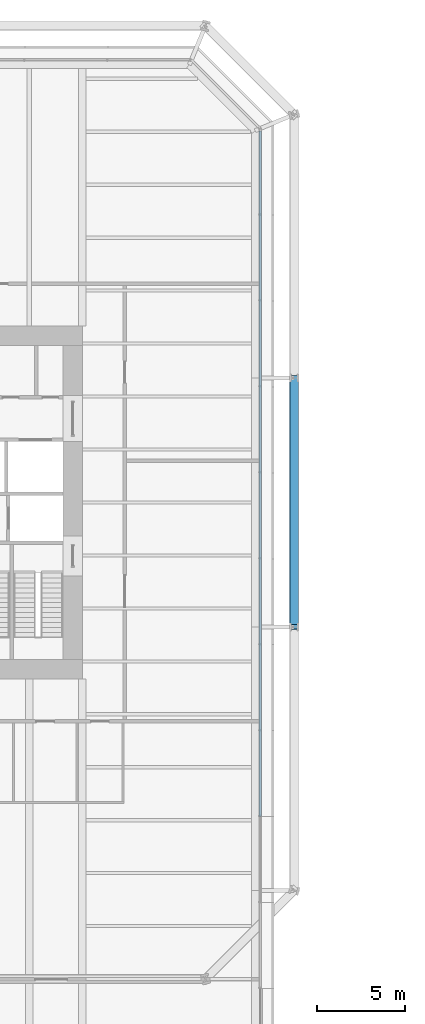
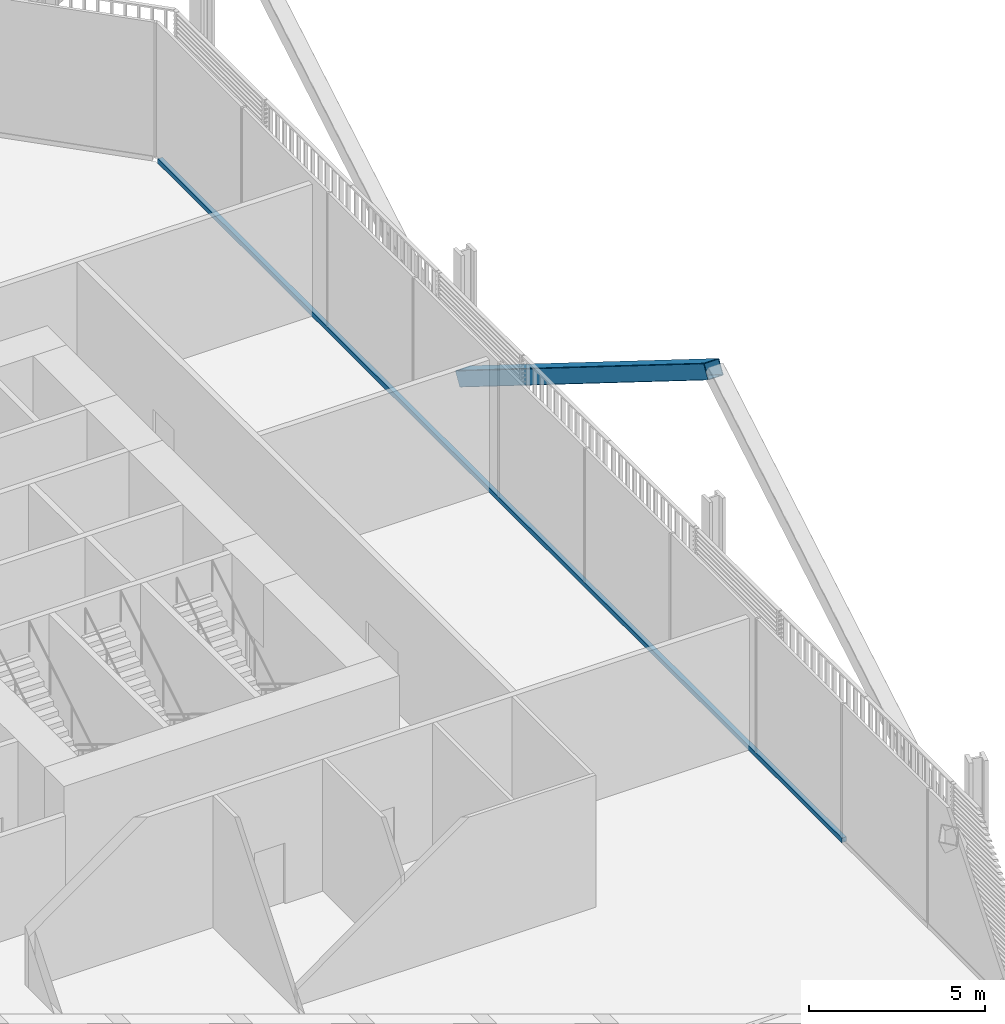
# One storey, part 16 of 26: 2 members, 1 element without a shape of its own.
"""IFC4 building model written with IfcOpenShell, lengths in metres."""

from ifc_helpers import new_model, si_unit, direction, frame, origin, origin_2d, place, context, subcontext, project, spatial, rectangle, hollow_rectangle, extrude, material, layer, layer_set, material_profile, profile_set, type_object, element, aggregate, save


model = new_model("IFC4")

# Units and contexts
model_context = context("Model", 3, precision=1e-05, world=origin(), true_north=direction((0.0, 1.0)))
body_context = subcontext(model_context, "Body", "Model", "MODEL_VIEW")
ifc_project = project(units=[si_unit("LENGTHUNIT", "METRE"), si_unit("AREAUNIT", "SQUARE_METRE"), si_unit("VOLUMEUNIT", "CUBIC_METRE"), si_unit("PLANEANGLEUNIT", "RADIAN"), si_unit("MASSUNIT", "GRAM", prefix="KILO")], contexts=[model_context])

# Site, building, storey
site_placement = place(None, origin())
site = spatial("IfcSite", under=ifc_project, at=site_placement, CompositionType="ELEMENT")
building_placement = place(site_placement, origin())
building = spatial("IfcBuilding", under=site, at=building_placement, Name="Millrace Tower", CompositionType="ELEMENT")
storey_placement = place(building_placement, frame((0.0, 0.0, 11.300048828125)))
storey = spatial("IfcBuildingStorey", under=building, at=storey_placement, Name="L03", CompositionType="ELEMENT", Elevation=11.300048828125)

# Curtain wall, member
ifc_material_1 = material(Name="Aluminium and glass", Category="aluminium")
ifc_layer = layer(ifc_material_1, 0.14990234375)
ifc_layer_set = layer_set([ifc_layer], Name="Aluminium and glass")
curtain_wall_type = type_object("IfcCurtainWallType", Name="CW-2 data hall insulated curtain wall", PredefinedType="NOTDEFINED", material=ifc_layer_set)
curtain_wall_placement = place(storey_placement, origin())
curtain_wall = element("IfcCurtainWall", 1, at=curtain_wall_placement, inside=storey, type_object=curtain_wall_type, Name="Curtain wall AW3-F02 L03 CW2", PredefinedType="NOTDEFINED")
ifc_material_2 = material(Name="Aluminium", Category="aluminium")
ifc_material_profile_1 = material_profile(ifc_material_2, rectangle(XDim=0.14990234375, YDim=0.159912109375, at=origin_2d()))
ifc_profile_set_1 = profile_set([ifc_material_profile_1], Name="Aluminium")
member_type_1 = type_object("IfcMemberType", Name="CW-2 data hall insulated curtain wall transom", PredefinedType="USERDEFINED", material=ifc_profile_set_1)
member_1_placement = place(storey_placement, frame((25.074951171875, -17.79541015625, 0.079833984375), z_axis=(0.0, 1.0, 0.0), x_axis=(-1.0, 0.0, 0.0)))
member_1 = element("IfcMember", 2, at=member_1_placement, type_object=member_type_1, Name="CW2 transom AW3-F02.4", ObjectType="TRANSOM", PredefinedType="USERDEFINED", context=body_context, shape_type="SweptSolid", body=[
    extrude(rectangle(XDim=0.14990234375, YDim=0.159912109375, at=origin_2d()), origin(), (0.0, 0.0, 1.0), 38.845458984375),
])
aggregate(curtain_wall, [member_1])

# Member
ifc_material_3 = material(Name="Steel ASTM A500 Grade C", Category="steel")
ifc_material_profile_2 = material_profile(ifc_material_3, hollow_rectangle(XDim=0.508056640625, YDim=0.508056640625, WallThickness=0.022216796875, InnerFilletRadius=0.01123046875, OuterFilletRadius=0.033447265625, at=origin_2d()))
ifc_profile_set_2 = profile_set([ifc_material_profile_2], Name="Steel ASTM A500 Grade C")
member_type_2 = type_object("IfcMemberType", Name="Exoskeleton brace HSS20x20x7/8", PredefinedType="BRACE", material=ifc_profile_set_2)
member_2_placement = place(storey_placement, frame((27.0, 7.050048828125, 0.39990234375), z_axis=(0.0, -0.848336468551, 0.529457492276), x_axis=(1.0, 0.0, 0.0)))
element("IfcMember", 3, at=member_2_placement, inside=storey, type_object=member_type_2, Name="BRC-A-L03-07", PredefinedType="BRACE", context=body_context, shape_type="SweptSolid", body=[
    extrude(hollow_rectangle(XDim=0.508056640625, YDim=0.508056640625, WallThickness=0.022216796875, InnerFilletRadius=0.01123046875, OuterFilletRadius=0.033447265625, at=origin_2d()), origin(), (0.0, 0.0, 1.0), 16.620849609375),
])

save(model, "model.ifc")
